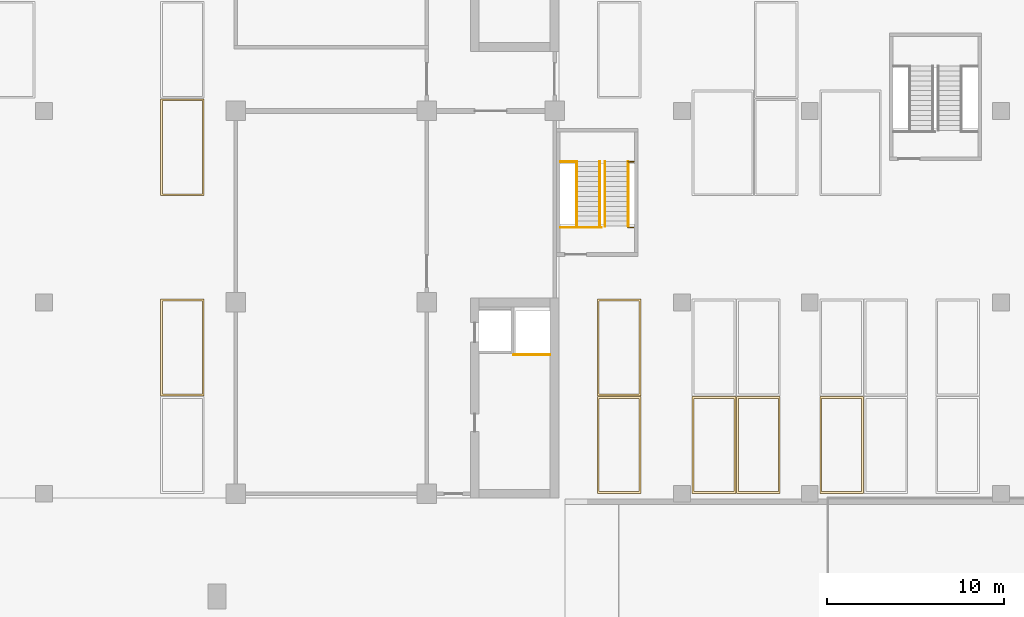
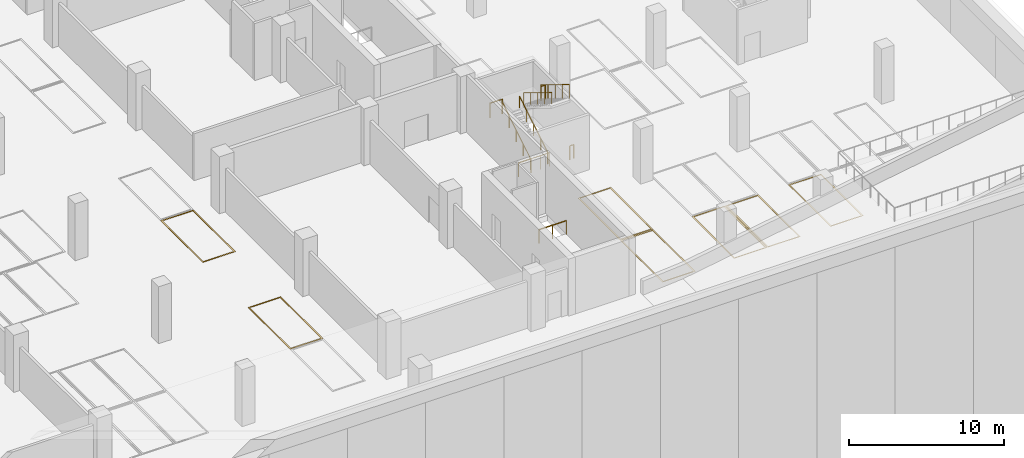
# One storey, part 13 of 18: 10 railings, 7 coverings.
"""IFC4 building model written with IfcOpenShell, lengths in metres."""

import ifcopenshell
import ifcopenshell.guid

model = None  # the IFC model being written
_history = None  # IfcOwnerHistory: only IFC2X3 demands one
_inside = {}  # id of a spatial element -> (the spatial element, [elements in it])
_under = {}  # id of a project, library or spatial element -> (it, [spatial elements below it])
_declared = {}  # id of a project -> (the project, [libraries it declares])
_typed = {}  # id of a type object -> (the type object, [elements of that type])
_made_of = {}  # id of a material, layer set ... -> (it, [elements and type objects made of it])


def new_model(schema):
    """Start an empty IFC model of exactly this schema.

    Asked for "IFC4X3", IfcOpenShell would pick the latest addendum, in which some entities
    have other attributes; the version numbers below select the first issue.
    IFC2X3 requires an IfcOwnerHistory on every rooted entity: one is made here for all.
    """
    global model, _history
    if schema == "IFC4X3":
        model = ifcopenshell.file(schema_version=(4, 3, 0, 0))
    else:
        model = ifcopenshell.file(schema=schema)
    _inside.clear()
    _under.clear()
    _declared.clear()
    _typed.clear()
    _made_of.clear()
    _history = None
    if model.schema == "IFC2X3":
        org = make("IfcOrganization", Name="unknown")
        user = make(
            "IfcPersonAndOrganization",
            ThePerson=make("IfcPerson", FamilyName="unknown"),
            TheOrganization=org,
        )
        app = make(
            "IfcApplication",
            ApplicationDeveloper=org,
            Version="unknown",
            ApplicationFullName="unknown",
            ApplicationIdentifier="unknown",
        )
        _history = make(
            "IfcOwnerHistory",
            OwningUser=user,
            OwningApplication=app,
            ChangeAction="ADDED",
            CreationDate=0,
        )
    return model


def make(cls, **values):
    """One entity of the class cls with the attributes given. An attribute that is None is left unset."""
    return model.create_entity(
        cls, **{name: value for name, value in values.items() if value is not None}
    )


def rooted(cls, **values):
    """An entity with a GlobalId (a new one), such as an element, a storey or a relation."""
    return make(cls, GlobalId=ifcopenshell.guid.new(), OwnerHistory=_history, **values)


def si_unit(unit_type, name, prefix=None):
    """IfcSIUnit, for example si_unit("LENGTHUNIT", "METRE", prefix="MILLI")."""
    return make("IfcSIUnit", UnitType=unit_type, Prefix=prefix, Name=name)


def assignment(units):
    """IfcUnitAssignment: the units of a project."""
    return None if units is None else make("IfcUnitAssignment", Units=units)


def point(xyz):
    """IfcCartesianPoint."""
    return None if xyz is None else make("IfcCartesianPoint", Coordinates=xyz)


def direction(xyz):
    """IfcDirection."""
    return None if xyz is None else make("IfcDirection", DirectionRatios=xyz)


def frame(location, z_axis=None, x_axis=None):
    """IfcAxis2Placement3D, a coordinate frame: its origin and axes. An axis left out is left unset."""
    return make(
        "IfcAxis2Placement3D",
        Location=point(location),
        Axis=direction(z_axis),
        RefDirection=direction(x_axis),
    )


def frame_2d(location, x_axis=None):
    """IfcAxis2Placement2D, a coordinate frame in the plane: its origin and x axis."""
    return make(
        "IfcAxis2Placement2D", Location=point(location), RefDirection=direction(x_axis)
    )


def origin():
    """The frame at (0, 0, 0) with its axes left unset."""
    return frame((0.0, 0.0, 0.0))


def origin_2d():
    """The frame at (0, 0) in the plane with its x axis left unset."""
    return frame_2d((0.0, 0.0))


def place(relative_to, where):
    """IfcLocalPlacement: puts the frame where relative to a parent placement (None: the world)."""
    return make(
        "IfcLocalPlacement", PlacementRelTo=relative_to, RelativePlacement=where
    )


def context(
    kind, dimensions, precision=None, world=None, true_north=None, identifier=None
):
    """IfcGeometricRepresentationContext, for example the 3D "Model" context."""
    return make(
        "IfcGeometricRepresentationContext",
        ContextIdentifier=identifier,
        ContextType=kind,
        CoordinateSpaceDimension=dimensions,
        Precision=precision,
        WorldCoordinateSystem=world,
        TrueNorth=true_north,
    )


def subcontext(parent, identifier, kind, view, scale=None):
    """IfcGeometricRepresentationSubContext, for example "Body" below "Model"."""
    return make(
        "IfcGeometricRepresentationSubContext",
        ContextIdentifier=identifier,
        ContextType=kind,
        ParentContext=parent,
        TargetScale=scale,
        TargetView=view,
    )


def project(units=None, contexts=None):
    """IfcProject with its units and contexts."""
    return rooted(
        "IfcProject",
        Name="project",
        RepresentationContexts=contexts,
        UnitsInContext=assignment(units),
    )


def spatial(cls, under=None, at=None, **own):
    """A site, building, storey or space (cls), placed at a placement, below another one or the project."""
    s = rooted(cls, ObjectPlacement=at, **own)
    if under is not None:
        _under.setdefault(under.id(), (under, []))[1].append(s)
    return s


def polyline(points):
    """IfcPolyline through the points."""
    return make("IfcPolyline", Points=[point(p) for p in points])


def profile(cls, at=None, kind="AREA", **sizes):
    """A parametric profile (cls). Its sizes go by their IFC names, for example OverallWidth=200.0."""
    return make(cls, ProfileType=kind, Position=at, **sizes)


def circle(**sizes):
    """IfcCircleProfileDef."""
    return profile("IfcCircleProfileDef", **sizes)


def outline(outer, holes=None, kind="AREA"):
    """IfcArbitraryClosedProfileDef: a profile drawn as a closed curve; with holes, ...WithVoids."""
    if holes is None:
        return make("IfcArbitraryClosedProfileDef", ProfileType=kind, OuterCurve=outer)
    return make(
        "IfcArbitraryProfileDefWithVoids",
        ProfileType=kind,
        OuterCurve=outer,
        InnerCurves=holes,
    )


def extrude(swept, where, along, depth):
    """IfcExtrudedAreaSolid: the profile swept, set in the frame where, extruded along a direction by depth."""
    return make(
        "IfcExtrudedAreaSolid",
        SweptArea=swept,
        Position=where,
        ExtrudedDirection=direction(along),
        Depth=depth,
    )


def shape(context_of_items, identifier, shape_type, items):
    """IfcShapeRepresentation: the items that make up one representation, for example the "Body"."""
    return make(
        "IfcShapeRepresentation",
        ContextOfItems=context_of_items,
        RepresentationIdentifier=identifier,
        RepresentationType=shape_type,
        Items=items,
    )


def material(Name=None, Category=None):
    """IfcMaterial."""
    return make("IfcMaterial", Name=Name, Category=Category)


def layer(
    of_material, thickness, ventilated=None, Name=None, Category=None, Priority=None
):
    """IfcMaterialLayer: one layer of a wall or slab, of a material (None: an air gap)."""
    return make(
        "IfcMaterialLayer",
        Material=of_material,
        LayerThickness=thickness,
        IsVentilated=ventilated,
        Name=Name,
        Category=Category,
        Priority=Priority,
    )


def layer_set(layers, Name=None):
    """IfcMaterialLayerSet."""
    return make("IfcMaterialLayerSet", MaterialLayers=layers, LayerSetName=Name)


def made_of(thing, what):
    """Note that an element or type object is made of a material, layer set ...; save() writes the relation."""
    if what is not None:
        _made_of.setdefault(what.id(), (what, []))[1].append(thing)
    return thing


def type_object(cls, material=None, **own):
    """A type object (cls), such as IfcWallType, which elements share."""
    return made_of(rooted(cls, **own), material)


def element(
    cls,
    number,
    at=None,
    inside=None,
    cuts=None,
    type_object=None,
    material=None,
    context=None,
    identifier="Body",
    shape_type=None,
    held_by="IfcProductDefinitionShape",
    body=None,
    shapes=None,
    **own,
):
    """One element of the class cls, such as IfcWall. Its Tag is "e" and its number.

    at: its placement. inside: the storey or other place that contains it. cuts: it is an
    opening in that element (IfcRelVoidsElement). A single representation is given by context,
    identifier, shape_type and body (its items); several are given by shapes. held_by: the class
    of the entity that holds the representations. save() writes the other relations.
    """
    e = rooted(cls, Tag="e%d" % number, ObjectPlacement=at, **own)
    if body is not None:
        shapes = [shape(context, identifier, shape_type, body)]
    if shapes is not None:
        e.Representation = make(held_by, Representations=shapes)
    if inside is not None:
        _inside.setdefault(inside.id(), (inside, []))[1].append(e)
    if cuts is not None:
        rooted(
            "IfcRelVoidsElement", RelatingBuildingElement=cuts, RelatedOpeningElement=e
        )
    if type_object is not None:
        _typed.setdefault(type_object.id(), (type_object, []))[1].append(e)
    return made_of(e, material)


def aggregate(whole, parts):
    """IfcRelAggregates: a whole, such as a stair, and the parts it consists of."""
    return rooted("IfcRelAggregates", RelatingObject=whole, RelatedObjects=parts)


def save(model, path):
    """Write the relations noted so far, then the file.

    IfcRelAggregates (storeys below a building ...), IfcRelContainedInSpatialStructure (elements
    in a storey), IfcRelDefinesByType, IfcRelAssociatesMaterial and IfcRelDeclares: one each for
    every whole, place, type object, material and project.
    """
    for whole, parts in _under.values():
        aggregate(whole, parts)
    for where, things in _inside.values():
        rooted(
            "IfcRelContainedInSpatialStructure",
            RelatedElements=things,
            RelatingStructure=where,
        )
    for kind, things in _typed.values():
        rooted("IfcRelDefinesByType", RelatedObjects=things, RelatingType=kind)
    for what, things in _made_of.values():
        rooted("IfcRelAssociatesMaterial", RelatedObjects=things, RelatingMaterial=what)
    for by, libraries in _declared.values():
        rooted("IfcRelDeclares", RelatingContext=by, RelatedDefinitions=libraries)
    model.write(path)


model = new_model("IFC4")

# Units and contexts
model_context = context("Model", 3, precision=1e-05, world=origin(), true_north=direction((0.0, 1.0)))
body_context = subcontext(model_context, "Body", "Model", "MODEL_VIEW")
ifc_project = project(units=[si_unit("LENGTHUNIT", "METRE"), si_unit("AREAUNIT", "SQUARE_METRE"), si_unit("VOLUMEUNIT", "CUBIC_METRE"), si_unit("PLANEANGLEUNIT", "RADIAN"), si_unit("MASSUNIT", "GRAM", prefix="KILO")], contexts=[model_context])

# Site, building, storey
site_placement = place(None, origin())
site = spatial("IfcSite", under=ifc_project, at=site_placement, CompositionType="ELEMENT")
building_placement = place(site_placement, origin())
building = spatial("IfcBuilding", under=site, at=building_placement, Name="Basin Gate Institute", CompositionType="ELEMENT")
storey_placement = place(building_placement, frame((0.0, 0.0, -4.800048828125)))
storey = spatial("IfcBuildingStorey", under=building, at=storey_placement, Name="B1", CompositionType="ELEMENT", Elevation=-4.800048828125)

# Railing
ifc_material_1 = material(Name="Galvanised steel tube and mesh infill", Category="steel")
railing_type_1 = type_object("IfcRailingType", Name="Duct opening guard RL-D", PredefinedType="GUARDRAIL", material=ifc_material_1)
railing_1_placement = place(storey_placement, frame((118.550048828125, 42.93994140625, 0.0)))
element("IfcRailing", 1, at=railing_1_placement, inside=storey, type_object=railing_type_1, material=ifc_material_1, Name="Riser opening guard RL-D ES A", PredefinedType="GUARDRAIL", context=body_context, shape_type="SweptSolid", body=[
    extrude(circle(Radius=0.02392578125, at=origin_2d()), frame((0.0, 0.0, 1.076171875), z_axis=(-1.0, 0.0, 0.0), x_axis=(0.0, -1.0, 0.0)), (0.0, 0.0, 1.0), 2.050048828125),
    extrude(circle(Radius=0.02099609375, at=origin_2d()), origin(), (0.0, 0.0, 1.0), 1.052001953125),
    extrude(circle(Radius=0.02099609375, at=origin_2d()), frame((-1.02490234375, 0.0, 0.0)), (0.0, 0.0, 1.0), 1.052001953125),
    extrude(circle(Radius=0.02099609375, at=origin_2d()), frame((-2.050048828125, 0.0, 0.0)), (0.0, 0.0, 1.0), 1.052001953125),
])

# Coverings
ifc_material_2 = material(Name="Road marking paint, white")
ifc_layer = layer(ifc_material_2, 0.010009765625)
ifc_layer_set = layer_set([ifc_layer], Name="Parking bay marking PM1")
covering_type = type_object("IfcCoveringType", Name="Parking bay marking PM1", PredefinedType="FLOORING", material=ifc_layer_set)
covering_1_placement = place(storey_placement, origin())
element("IfcCovering", 2, at=covering_1_placement, inside=storey, type_object=covering_type, material=ifc_layer_set, Name="Parking bay marking B1-05 19", PredefinedType="FLOORING", context=body_context, shape_type="SweptSolid", body=[
    extrude(outline(polyline([(121.219970703125, 35.1201171875), (123.679931640625, 35.1201171875), (123.679931640625, 40.580078125), (121.219970703125, 40.580078125), (121.219970703125, 35.1201171875)]), holes=[polyline([(121.320068359375, 35.219970703125), (123.580078125, 35.219970703125), (123.580078125, 40.47998046875), (121.320068359375, 40.47998046875), (121.320068359375, 35.219970703125)])]), origin(), (0.0, 0.0, 1.0), 0.010009765625),
])
covering_2_placement = place(storey_placement, origin())
element("IfcCovering", 3, at=covering_2_placement, inside=storey, type_object=covering_type, material=ifc_layer_set, Name="Parking bay marking B1-05 20", PredefinedType="FLOORING", context=body_context, shape_type="SweptSolid", body=[
    extrude(outline(polyline([(126.570068359375, 35.1201171875), (129.030029296875, 35.1201171875), (129.030029296875, 40.580078125), (126.570068359375, 40.580078125), (126.570068359375, 35.1201171875)]), holes=[polyline([(126.669921875, 35.219970703125), (128.929931640625, 35.219970703125), (128.929931640625, 40.47998046875), (126.669921875, 40.47998046875), (126.669921875, 35.219970703125)])]), origin(), (0.0, 0.0, 1.0), 0.010009765625),
])
covering_3_placement = place(storey_placement, origin())
element("IfcCovering", 4, at=covering_3_placement, inside=storey, type_object=covering_type, material=ifc_layer_set, Name="Parking bay marking B1-05 21", PredefinedType="FLOORING", context=body_context, shape_type="SweptSolid", body=[
    extrude(outline(polyline([(129.070068359375, 35.1201171875), (131.530029296875, 35.1201171875), (131.530029296875, 40.580078125), (129.070068359375, 40.580078125), (129.070068359375, 35.1201171875)]), holes=[polyline([(129.169921875, 35.219970703125), (131.429931640625, 35.219970703125), (131.429931640625, 40.47998046875), (129.169921875, 40.47998046875), (129.169921875, 35.219970703125)])]), origin(), (0.0, 0.0, 1.0), 0.010009765625),
])
covering_4_placement = place(storey_placement, origin())
element("IfcCovering", 5, at=covering_4_placement, inside=storey, type_object=covering_type, material=ifc_layer_set, Name="Parking bay marking B1-05 22", PredefinedType="FLOORING", context=body_context, shape_type="SweptSolid", body=[
    extrude(outline(polyline([(133.77001953125, 35.1201171875), (136.22998046875, 35.1201171875), (136.22998046875, 40.580078125), (133.77001953125, 40.580078125), (133.77001953125, 35.1201171875)]), holes=[polyline([(133.8701171875, 35.219970703125), (136.1298828125, 35.219970703125), (136.1298828125, 40.47998046875), (133.8701171875, 40.47998046875), (133.8701171875, 35.219970703125)])]), origin(), (0.0, 0.0, 1.0), 0.010009765625),
])
covering_5_placement = place(storey_placement, origin())
element("IfcCovering", 6, at=covering_5_placement, inside=storey, type_object=covering_type, material=ifc_layer_set, Name="Parking bay marking B1-05 24", PredefinedType="FLOORING", context=body_context, shape_type="SweptSolid", body=[
    extrude(outline(polyline([(121.219970703125, 40.6201171875), (123.679931640625, 40.6201171875), (123.679931640625, 46.080078125), (121.219970703125, 46.080078125), (121.219970703125, 40.6201171875)]), holes=[polyline([(121.320068359375, 40.719970703125), (123.580078125, 40.719970703125), (123.580078125, 45.97998046875), (121.320068359375, 45.97998046875), (121.320068359375, 40.719970703125)])]), origin(), (0.0, 0.0, 1.0), 0.010009765625),
])
covering_6_placement = place(storey_placement, origin())
element("IfcCovering", 7, at=covering_6_placement, inside=storey, type_object=covering_type, material=ifc_layer_set, Name="Parking bay marking B1-03 44", PredefinedType="FLOORING", context=body_context, shape_type="SweptSolid", body=[
    extrude(outline(polyline([(96.570068359375, 40.6201171875), (99.030029296875, 40.6201171875), (99.030029296875, 46.080078125), (96.570068359375, 46.080078125), (96.570068359375, 40.6201171875)]), holes=[polyline([(96.669921875, 40.719970703125), (98.929931640625, 40.719970703125), (98.929931640625, 45.97998046875), (96.669921875, 45.97998046875), (96.669921875, 40.719970703125)])]), origin(), (0.0, 0.0, 1.0), 0.010009765625),
])
covering_7_placement = place(storey_placement, origin())
element("IfcCovering", 8, at=covering_7_placement, inside=storey, type_object=covering_type, material=ifc_layer_set, Name="Parking bay marking B1-03 45", PredefinedType="FLOORING", context=body_context, shape_type="SweptSolid", body=[
    extrude(outline(polyline([(96.570068359375, 51.919921875), (99.030029296875, 51.919921875), (99.030029296875, 57.3798828125), (96.570068359375, 57.3798828125), (96.570068359375, 51.919921875)]), holes=[polyline([(96.669921875, 52.02001953125), (98.929931640625, 52.02001953125), (98.929931640625, 57.280029296875), (96.669921875, 57.280029296875), (96.669921875, 52.02001953125)])]), origin(), (0.0, 0.0, 1.0), 0.010009765625),
])

# Railings
ifc_material_3 = material(Name="Stainless steel", Category="steel")
railing_type_2 = type_object("IfcRailingType", Name="Stair guard GR1", PredefinedType="GUARDRAIL", material=ifc_material_3)
railing_2_placement = place(storey_placement, frame((120.050048828125, 50.1201171875, 0.0)))
element("IfcRailing", 9, at=railing_2_placement, inside=storey, type_object=railing_type_2, material=ifc_material_3, Name="Stair guard GR1 BS3 GD4-B2", PredefinedType="GUARDRAIL", context=body_context, shape_type="SweptSolid", body=[
    extrude(circle(Radius=0.02392578125, at=origin_2d()), frame((0.0, 0.0, 1.076171875), z_axis=(1.0, 0.0, 0.0), x_axis=(0.0, 1.0, 0.0)), (0.0, 0.0, 1.0), 1.39990234375),
    extrude(circle(Radius=0.02099609375, at=origin_2d()), origin(), (0.0, 0.0, 1.0), 1.052001953125),
    extrude(circle(Radius=0.02099609375, at=origin_2d()), frame((0.699951171875, 0.0, 0.0)), (0.0, 0.0, 1.0), 1.052001953125),
    extrude(circle(Radius=0.02099609375, at=origin_2d()), frame((1.39990234375, 0.0, 0.0)), (0.0, 0.0, 1.0), 1.052001953125),
])
railing_3_placement = place(storey_placement, frame((119.1298828125, 50.1201171875, 0.0)))
element("IfcRailing", 10, at=railing_3_placement, inside=storey, type_object=railing_type_2, material=ifc_material_3, Name="Stair guard GR1 BS3 GD4b-B2", PredefinedType="GUARDRAIL", context=body_context, shape_type="SweptSolid", body=[
    extrude(circle(Radius=0.02392578125, at=origin_2d()), frame((0.0, 0.0, 1.076171875), z_axis=(1.0, 0.0, 0.0), x_axis=(0.0, 1.0, 0.0)), (0.0, 0.0, 1.0), 0.920166015625),
    extrude(circle(Radius=0.02099609375, at=origin_2d()), origin(), (0.0, 0.0, 1.0), 1.052001953125),
    extrude(circle(Radius=0.02099609375, at=origin_2d()), frame((0.920166015625, 0.0, 0.0)), (0.0, 0.0, 1.0), 1.052001953125),
])
railing_4_placement = place(storey_placement, frame((122.949951171875, 50.1201171875, 0.0)))
element("IfcRailing", 11, at=railing_4_placement, inside=storey, type_object=railing_type_2, material=ifc_material_3, Name="Stair guard GR1 BS3 GD5-B2", PredefinedType="GUARDRAIL", context=body_context, shape_type="SweptSolid", body=[
    extrude(circle(Radius=0.02392578125, at=origin_2d()), frame((0.0, 0.0, 1.076171875), z_axis=(1.0, 0.0, 0.0), x_axis=(0.0, 1.0, 0.0)), (0.0, 0.0, 1.0), 0.300048828125),
    extrude(circle(Radius=0.02099609375, at=origin_2d()), origin(), (0.0, 0.0, 1.0), 1.052001953125),
    extrude(circle(Radius=0.02099609375, at=origin_2d()), frame((0.300048828125, 0.0, 0.0)), (0.0, 0.0, 1.0), 1.052001953125),
])
railing_5_placement = place(storey_placement, frame((122.949951171875, 53.840087890625, 2.571533203125)))
element("IfcRailing", 12, at=railing_5_placement, inside=storey, type_object=railing_type_2, material=ifc_material_3, Name="Stair guard GR1 BS3 GD1", PredefinedType="GUARDRAIL", context=body_context, shape_type="SweptSolid", body=[
    extrude(circle(Radius=0.02392578125, at=origin_2d()), frame((0.0, 0.0, 1.076171875), z_axis=(0.0, -0.852865859571, 0.52213008492), x_axis=(1.0, 0.0, 0.0)), (0.0, 0.0, 1.0), 4.26806640625),
    extrude(circle(Radius=0.02099609375, at=origin_2d()), origin(), (0.0, 0.0, 1.0), 1.052001953125),
    extrude(circle(Radius=0.02099609375, at=origin_2d()), frame((0.0, -0.91015625, 0.55712890625)), (0.0, 0.0, 1.0), 1.052001953125),
    extrude(circle(Radius=0.02099609375, at=origin_2d()), frame((0.0, -1.820068359375, 1.1142578125)), (0.0, 0.0, 1.0), 1.052001953125),
    extrude(circle(Radius=0.02099609375, at=origin_2d()), frame((0.0, -2.72998046875, 1.67138671875)), (0.0, 0.0, 1.0), 1.052001953125),
    extrude(circle(Radius=0.02099609375, at=origin_2d()), frame((0.0, -3.64013671875, 2.228515625)), (0.0, 0.0, 1.0), 1.052001953125),
])
ifc_material_4 = material(Name="Stainless steel", Category="steel")
railing_type_3 = type_object("IfcRailingType", Name="Stair guard GR3", PredefinedType="GUARDRAIL", material=ifc_material_4)
railing_6_placement = place(storey_placement, frame((122.949951171875, 53.840087890625, 2.400146484375)))
element("IfcRailing", 13, at=railing_6_placement, inside=storey, type_object=railing_type_3, material=ifc_material_4, Name="Stair guard GR3 BS3 GD2", PredefinedType="GUARDRAIL", context=body_context, shape_type="SweptSolid", body=[
    extrude(circle(Radius=0.02392578125, at=origin_2d()), frame((0.0, 0.0, 1.1259765625), z_axis=(1.0, 0.0, 0.0), x_axis=(0.0, 1.0, 0.0)), (0.0, 0.0, 1.0), 0.320068359375),
    extrude(circle(Radius=0.02099609375, at=origin_2d()), origin(), (0.0, 0.0, 1.0), 1.101806640625),
    extrude(circle(Radius=0.02099609375, at=origin_2d()), frame((0.320068359375, 0.0, 0.0)), (0.0, 0.0, 1.0), 1.101806640625),
])
railing_7_placement = place(storey_placement, frame((119.1298828125, 53.840087890625, 2.400146484375)))
element("IfcRailing", 14, at=railing_7_placement, inside=storey, type_object=railing_type_3, material=ifc_material_4, Name="Stair guard GR3 BS3 GD2b", PredefinedType="GUARDRAIL", context=body_context, shape_type="SweptSolid", body=[
    extrude(circle(Radius=0.02392578125, at=origin_2d()), frame((0.0, 0.0, 1.1259765625), z_axis=(1.0, 0.0, 0.0), x_axis=(0.0, 1.0, 0.0)), (0.0, 0.0, 1.0), 0.920166015625),
    extrude(circle(Radius=0.02099609375, at=origin_2d()), origin(), (0.0, 0.0, 1.0), 1.101806640625),
    extrude(circle(Radius=0.02099609375, at=origin_2d()), frame((0.920166015625, 0.0, 0.0)), (0.0, 0.0, 1.0), 1.101806640625),
])
ifc_material_5 = material(Name="Stainless steel", Category="steel")
railing_type_4 = type_object("IfcRailingType", Name="Stair handrail HR1", PredefinedType="HANDRAIL", material=ifc_material_5)
for number, where, name in (
    (15, (120.050048828125, 50.199951171875, 0.17138671875), "Stair handrail HR1 BS3 HR1"),
    (16, (121.35009765625, 50.199951171875, 0.17138671875), "Stair handrail HR1 BS3 HR2"),
):
    element("IfcRailing", number, at=place(storey_placement, frame(where)), inside=storey, type_object=railing_type_4, material=ifc_material_5, Name=name, PredefinedType="HANDRAIL", context=body_context, shape_type="SweptSolid", body=[
        extrude(circle(Radius=0.02392578125, at=origin_2d()), frame((0.0, 0.0, 0.89599609375), z_axis=(0.0, 0.852840387347, 0.522171689878), x_axis=(-1.0, 0.0, 0.0)), (0.0, 0.0, 1.0), 4.268310546875),
        extrude(circle(Radius=0.02099609375, at=origin_2d()), origin(), (0.0, 0.0, 1.0), 0.871826171875),
        extrude(circle(Radius=0.02099609375, at=origin_2d()), frame((0.0, 0.91015625, 0.55712890625)), (0.0, 0.0, 1.0), 0.871826171875),
        extrude(circle(Radius=0.02099609375, at=origin_2d()), frame((0.0, 1.820068359375, 1.1142578125)), (0.0, 0.0, 1.0), 0.871826171875),
        extrude(circle(Radius=0.02099609375, at=origin_2d()), frame((0.0, 2.72998046875, 1.671630859375)), (0.0, 0.0, 1.0), 0.871826171875),
        extrude(circle(Radius=0.02099609375, at=origin_2d()), frame((0.0, 3.64013671875, 2.228759765625)), (0.0, 0.0, 1.0), 0.871826171875),
    ])
railing_8_placement = place(storey_placement, frame((121.64990234375, 53.840087890625, 2.571533203125)))
element("IfcRailing", 17, at=railing_8_placement, inside=storey, type_object=railing_type_4, material=ifc_material_5, Name="Stair handrail HR1 BS3 HR3", PredefinedType="HANDRAIL", context=body_context, shape_type="SweptSolid", body=[
    extrude(circle(Radius=0.02392578125, at=origin_2d()), frame((0.0, 0.0, 0.89599609375), z_axis=(0.0, -0.852865859571, 0.52213008492), x_axis=(1.0, 0.0, 0.0)), (0.0, 0.0, 1.0), 4.26806640625),
    extrude(circle(Radius=0.02099609375, at=origin_2d()), origin(), (0.0, 0.0, 1.0), 0.871826171875),
    extrude(circle(Radius=0.02099609375, at=origin_2d()), frame((0.0, -0.91015625, 0.55712890625)), (0.0, 0.0, 1.0), 0.871826171875),
    extrude(circle(Radius=0.02099609375, at=origin_2d()), frame((0.0, -1.820068359375, 1.1142578125)), (0.0, 0.0, 1.0), 0.871826171875),
    extrude(circle(Radius=0.02099609375, at=origin_2d()), frame((0.0, -2.72998046875, 1.67138671875)), (0.0, 0.0, 1.0), 0.871826171875),
    extrude(circle(Radius=0.02099609375, at=origin_2d()), frame((0.0, -3.64013671875, 2.228515625)), (0.0, 0.0, 1.0), 0.871826171875),
])

save(model, "model.ifc")
